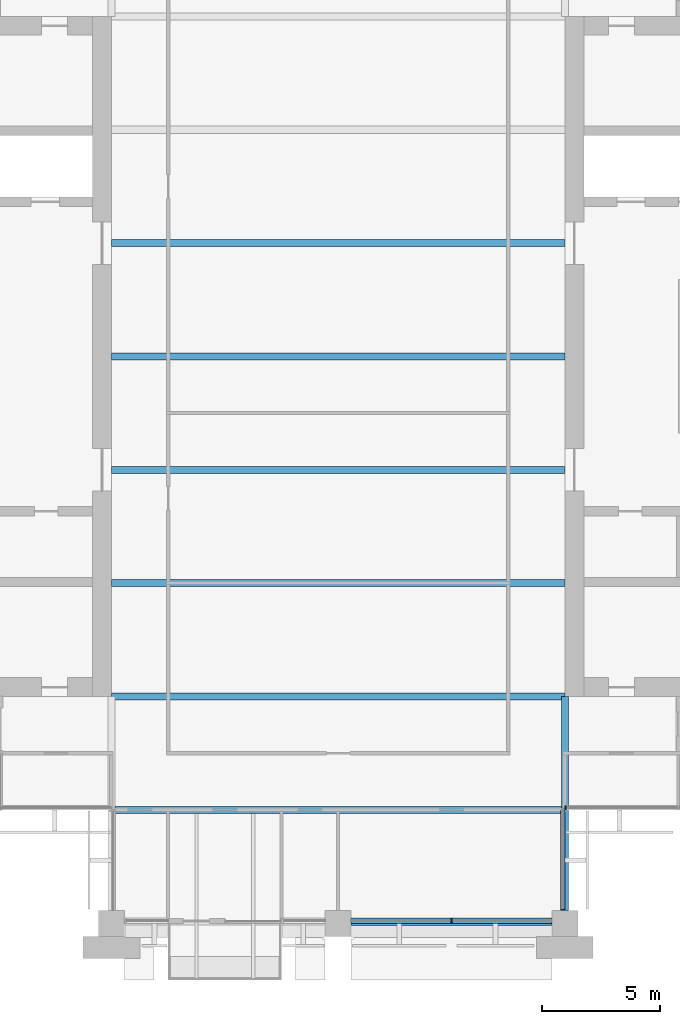
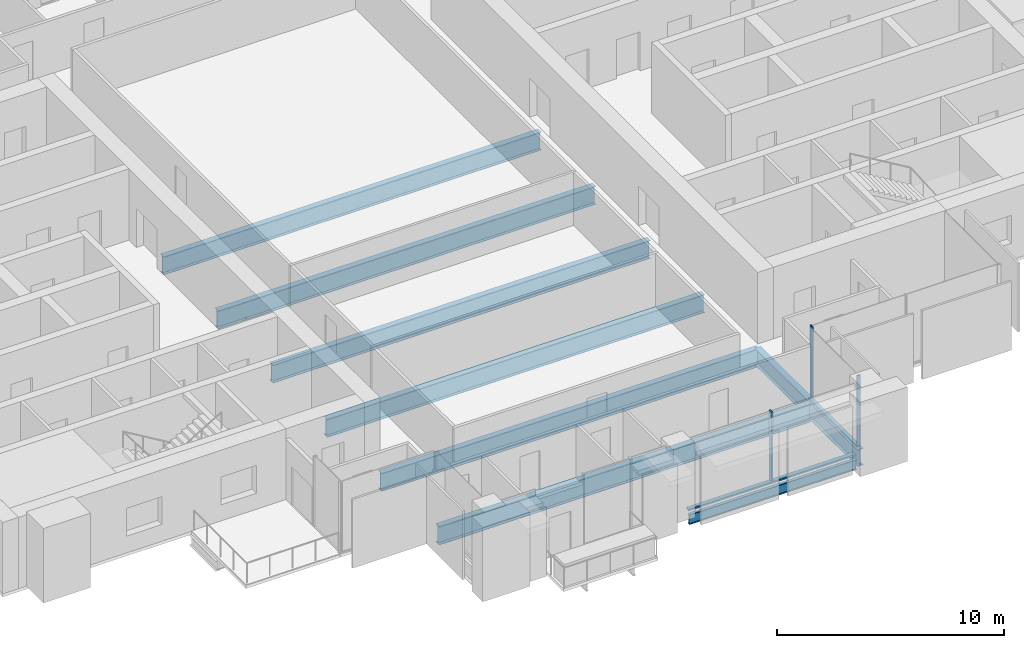
# One storey, part 3 of 14: 8 beams, 5 members, 3 elements without a shape of their own.
"""IFC4 building model written with IfcOpenShell, lengths in metres."""

from ifc_helpers import new_model, si_unit, direction, frame, origin, origin_2d, place, context, subcontext, project, spatial, rectangle, i_section, extrude, material, material_profile, profile_set, type_object, element, aggregate, save


model = new_model("IFC4")

# Units and contexts
model_context = context("Model", 3, precision=1e-05, world=origin(), true_north=direction((0.0, 1.0)))
body_context = subcontext(model_context, "Body", "Model", "MODEL_VIEW")
ifc_project = project(units=[si_unit("LENGTHUNIT", "METRE"), si_unit("AREAUNIT", "SQUARE_METRE"), si_unit("VOLUMEUNIT", "CUBIC_METRE"), si_unit("PLANEANGLEUNIT", "RADIAN"), si_unit("MASSUNIT", "GRAM", prefix="KILO")], contexts=[model_context])

# Site, building, storey
site_placement = place(None, origin())
site = spatial("IfcSite", under=ifc_project, at=site_placement, CompositionType="ELEMENT")
building_placement = place(site_placement, origin())
building = spatial("IfcBuilding", under=site, at=building_placement, Name="Baori Bourse Tower", CompositionType="ELEMENT")
storey_placement = place(building_placement, frame((0.0, 0.0, 209.199951171875)))
storey = spatial("IfcBuildingStorey", under=building, at=storey_placement, Name="L45", CompositionType="ELEMENT", Elevation=209.199951171875)

# Curtain wall, member
ifc_material_1 = material(Name="Pale anodised aluminium", Category="aluminium")
curtain_wall_type_1 = type_object("IfcCurtainWallType", Name="CW2 Curtain wall", PredefinedType="NOTDEFINED", material=ifc_material_1)
curtain_wall_1_placement = place(storey_placement, origin())
curtain_wall_1 = element("IfcCurtainWall", 1, at=curtain_wall_1_placement, inside=storey, type_object=curtain_wall_type_1, Name="Curtain wall CW2 L45 16", PredefinedType="NOTDEFINED")
ifc_material_2 = material(Name="Pale anodised aluminium", Category="aluminium")
ifc_material_profile_1 = material_profile(ifc_material_2, rectangle(XDim=0.179931640625, YDim=0.054931640625, at=origin_2d()), Name="Mullion 55x180")
ifc_profile_set_1 = profile_set([ifc_material_profile_1], Name="Pale anodised aluminium")
member_type_1 = type_object("IfcMemberType", Name="CW2 Curtain wall mullion", PredefinedType="MULLION", material=ifc_profile_set_1)
member_1_placement = place(storey_placement, frame((38.31005859375, 0.577392578125, 0.070068359375), z_axis=(0.0, 0.0, 1.0), x_axis=(-1.0, 0.0, 0.0)))
member_1 = element("IfcMember", 2, at=member_1_placement, type_object=member_type_1, Name="Curtain wall CW2 mullion", PredefinedType="MULLION", context=body_context, shape_type="SweptSolid", body=[
    extrude(rectangle(XDim=0.179931640625, YDim=0.054931640625, at=origin_2d()), origin(), (0.0, 0.0, 1.0), 3.77001953125),
])

curtain_wall_2_placement = place(storey_placement, origin())
curtain_wall_2 = element("IfcCurtainWall", 3, at=curtain_wall_2_placement, inside=storey, type_object=curtain_wall_type_1, Name="Curtain wall CW2 L45 17", PredefinedType="NOTDEFINED")
member_2_placement = place(storey_placement, frame((38.427490234375, 4.889892578125, 0.070068359375), z_axis=(0.0, 0.0, 1.0), x_axis=(0.0, 1.0, 0.0)))
member_2 = element("IfcMember", 4, at=member_2_placement, type_object=member_type_1, Name="Curtain wall CW2 mullion", PredefinedType="MULLION", context=body_context, shape_type="SweptSolid", body=[
    extrude(rectangle(XDim=0.179931640625, YDim=0.054931640625, at=origin_2d()), origin(), (0.0, 0.0, 1.0), 3.77001953125),
])
aggregate(curtain_wall_2, [member_2])

# Member
ifc_material_3 = material(Name="Pale anodised aluminium", Category="aluminium")
ifc_material_profile_2 = material_profile(ifc_material_3, rectangle(XDim=0.179931640625, YDim=0.070068359375, at=origin_2d()), Name="Transom 70x180")
ifc_profile_set_2 = profile_set([ifc_material_profile_2], Name="Pale anodised aluminium")
member_type_2 = type_object("IfcMemberType", Name="CW2 Curtain wall transom", PredefinedType="USERDEFINED", material=ifc_profile_set_2)
member_3_placement = place(storey_placement, frame((38.31005859375, 0.550048828125, 0.03515625), z_axis=(0.0, 1.0, 0.0), x_axis=(-1.0, 0.0, 0.0)))
member_3 = element("IfcMember", 5, at=member_3_placement, type_object=member_type_2, Name="Curtain wall CW2 sill rail", ObjectType="TRANSOM", PredefinedType="USERDEFINED", context=body_context, shape_type="SweptSolid", body=[
    extrude(rectangle(XDim=0.179931640625, YDim=0.070068359375, at=origin_2d()), origin(), (0.0, 0.0, 1.0), 4.25),
])

aggregate(curtain_wall_1, [member_3, member_1])

# Curtain wall, members
ifc_material_4 = material(Name="Pale anodised aluminium", Category="aluminium")
curtain_wall_type_2 = type_object("IfcCurtainWallType", Name="CW5 Curtain wall", PredefinedType="NOTDEFINED", material=ifc_material_4)
curtain_wall_3_placement = place(storey_placement, origin())
curtain_wall_3 = element("IfcCurtainWall", 6, at=curtain_wall_3_placement, inside=storey, type_object=curtain_wall_type_2, Name="Curtain wall CW5 L45 15", PredefinedType="NOTDEFINED")
ifc_material_5 = material(Name="Pale anodised aluminium", Category="aluminium")
ifc_material_profile_3 = material_profile(ifc_material_5, rectangle(XDim=0.219970703125, YDim=0.06494140625, at=origin_2d()), Name="Mullion 65x220")
ifc_profile_set_3 = profile_set([ifc_material_profile_3], Name="Pale anodised aluminium")
member_type_3 = type_object("IfcMemberType", Name="CW5 Curtain wall mullion", PredefinedType="MULLION", material=ifc_profile_set_3)
member_4_placement = place(storey_placement, frame((33.60009765625, 0.110107421875, 0.0849609375), z_axis=(0.0, 0.0, 1.0), x_axis=(0.0, 1.0, 0.0)))
member_4 = element("IfcMember", 7, at=member_4_placement, type_object=member_type_3, Name="Curtain wall CW5 mullion", PredefinedType="MULLION", context=body_context, shape_type="SweptSolid", body=[
    extrude(rectangle(XDim=0.219970703125, YDim=0.06494140625, at=origin_2d()), origin(), (0.0, 0.0, 1.0), 3.755126953125),
])
ifc_material_6 = material(Name="Pale anodised aluminium", Category="aluminium")
ifc_material_profile_4 = material_profile(ifc_material_6, rectangle(XDim=0.219970703125, YDim=0.0849609375, at=origin_2d()), Name="Transom 85x220")
ifc_profile_set_4 = profile_set([ifc_material_profile_4], Name="Pale anodised aluminium")
member_type_4 = type_object("IfcMemberType", Name="CW5 Curtain wall transom", PredefinedType="USERDEFINED", material=ifc_profile_set_4)
member_5_placement = place(storey_placement, frame((29.35009765625, 0.110107421875, 0.04248046875), z_axis=(1.0, 0.0, 0.0), x_axis=(0.0, 1.0, 0.0)))
member_5 = element("IfcMember", 8, at=member_5_placement, type_object=member_type_4, Name="Curtain wall CW5 sill rail", ObjectType="TRANSOM", PredefinedType="USERDEFINED", context=body_context, shape_type="SweptSolid", body=[
    extrude(rectangle(XDim=0.219970703125, YDim=0.0849609375, at=origin_2d()), origin(), (0.0, 0.0, 1.0), 8.5),
])
aggregate(curtain_wall_3, [member_5, member_4])

# Beams
ifc_material_7 = material(Name="Steel A992 Gr 50", Category="steel")
ifc_material_profile_5 = material_profile(ifc_material_7, i_section(OverallWidth=0.1650390625, OverallDepth=0.52587890625, WebThickness=0.0087890625, FlangeThickness=0.011474609375, at=origin_2d()), Name="W21x44")
ifc_profile_set_5 = profile_set([ifc_material_profile_5], Name="Steel A992 Gr 50")
beam_type_1 = type_object("IfcBeamType", Name="Edge beam W21x44", PredefinedType="BEAM", material=ifc_profile_set_5)
beam_1_placement = place(storey_placement, frame((29.35009765625, 0.0, -0.4228515625), z_axis=(1.0, 0.0, 0.0), x_axis=(0.0, 1.0, 0.0)))
element("IfcBeam", 9, at=beam_1_placement, inside=storey, type_object=beam_type_1, Name="Edge beam L45", PredefinedType="BEAM", context=body_context, shape_type="SweptSolid", body=[
    extrude(i_section(OverallWidth=0.1650390625, OverallDepth=0.52587890625, WebThickness=0.0087890625, FlangeThickness=0.011474609375, at=origin_2d()), origin(), (0.0, 0.0, 1.0), 8.5),
])
ifc_material_8 = material(Name="Steel A992 Gr 50", Category="steel")
ifc_material_profile_6 = material_profile(ifc_material_8, i_section(OverallWidth=0.2998046875, OverallDepth=0.97021484375, WebThickness=0.01611328125, FlangeThickness=0.02099609375, at=origin_2d()), Name="W40x149")
ifc_profile_set_6 = profile_set([ifc_material_profile_6], Name="Steel A992 Gr 50")
beam_type_2 = type_object("IfcBeamType", Name="Floor beam W40x149", PredefinedType="BEAM", material=ifc_profile_set_6)
for number, where, z_axis, x_axis, name in (
    (10, (19.199951171875, 9.60009765625, -0.64501953125), (1.0, 0.0, 0.0), (0.0, 1.0, 0.0), "Floor beam L45"),
    (11, (19.199951171875, 14.39990234375, -0.64501953125), (1.0, 0.0, 0.0), (0.0, 1.0, 0.0), "Floor beam L45"),
    (12, (19.199951171875, 19.199951171875, -0.64501953125), (1.0, 0.0, 0.0), (0.0, 1.0, 0.0), "Floor beam L45"),
    (13, (19.199951171875, 24.0, -0.64501953125), (1.0, 0.0, 0.0), (0.0, 1.0, 0.0), "Floor beam L45"),
    (14, (19.199951171875, 28.800048828125, -0.64501953125), (1.0, 0.0, 0.0), (0.0, 1.0, 0.0), "Floor beam L45"),
):
    element("IfcBeam", number, at=place(storey_placement, frame(where, z_axis=z_axis, x_axis=x_axis)), inside=storey, type_object=beam_type_2, Name=name, PredefinedType="BEAM", context=body_context, shape_type="SweptSolid", body=[
        extrude(i_section(OverallWidth=0.2998046875, OverallDepth=0.97021484375, WebThickness=0.01611328125, FlangeThickness=0.02099609375, at=origin_2d()), origin(), (0.0, 0.0, 1.0), 19.199951171875),
    ])
ifc_material_9 = material(Name="Steel A992 Gr 50", Category="steel")
ifc_material_profile_7 = material_profile(ifc_material_9, i_section(OverallWidth=0.2998046875, OverallDepth=0.990478515625, WebThickness=0.0166015625, FlangeThickness=0.030517578125, at=origin_2d()), Name="W40x183")
ifc_profile_set_7 = profile_set([ifc_material_profile_7], Name="Steel A992 Gr 50")
beam_type_3 = type_object("IfcBeamType", Name="Floor beam W40x183", PredefinedType="BEAM", material=ifc_profile_set_7)
beam_2_placement = place(storey_placement, frame((19.349853515625, 4.800048828125, -0.6552734375), z_axis=(1.0, 0.0, 0.0), x_axis=(0.0, 1.0, 0.0)))
element("IfcBeam", 15, at=beam_2_placement, inside=storey, type_object=beam_type_3, Name="Floor beam L45", PredefinedType="BEAM", context=body_context, shape_type="SweptSolid", body=[
    extrude(i_section(OverallWidth=0.2998046875, OverallDepth=0.990478515625, WebThickness=0.0166015625, FlangeThickness=0.030517578125, at=origin_2d()), origin(), (0.0, 0.0, 1.0), 18.897705078125),
])
ifc_material_10 = material(Name="Steel A992 Gr 50", Category="steel")
ifc_material_profile_8 = material_profile(ifc_material_10, i_section(OverallWidth=0.3046875, OverallDepth=0.904296875, WebThickness=0.01513671875, FlangeThickness=0.02001953125, at=origin_2d()), Name="W36x135")
ifc_profile_set_8 = profile_set([ifc_material_profile_8], Name="Steel A992 Gr 50")
beam_type_4 = type_object("IfcBeamType", Name="Girder W36x135", PredefinedType="BEAM", material=ifc_profile_set_8)
beam_3_placement = place(storey_placement, frame((38.39990234375, 0.550048828125, -0.612060546875), z_axis=(0.0, 1.0, 0.0), x_axis=(-1.0, 0.0, 0.0)))
element("IfcBeam", 16, at=beam_3_placement, inside=storey, type_object=beam_type_4, Name="Girder L45", PredefinedType="BEAM", context=body_context, shape_type="SweptSolid", body=[
    extrude(i_section(OverallWidth=0.3046875, OverallDepth=0.904296875, WebThickness=0.01513671875, FlangeThickness=0.02001953125, at=origin_2d()), origin(), (0.0, 0.0, 1.0), 9.050048828125),
])

save(model, "model.ifc")
